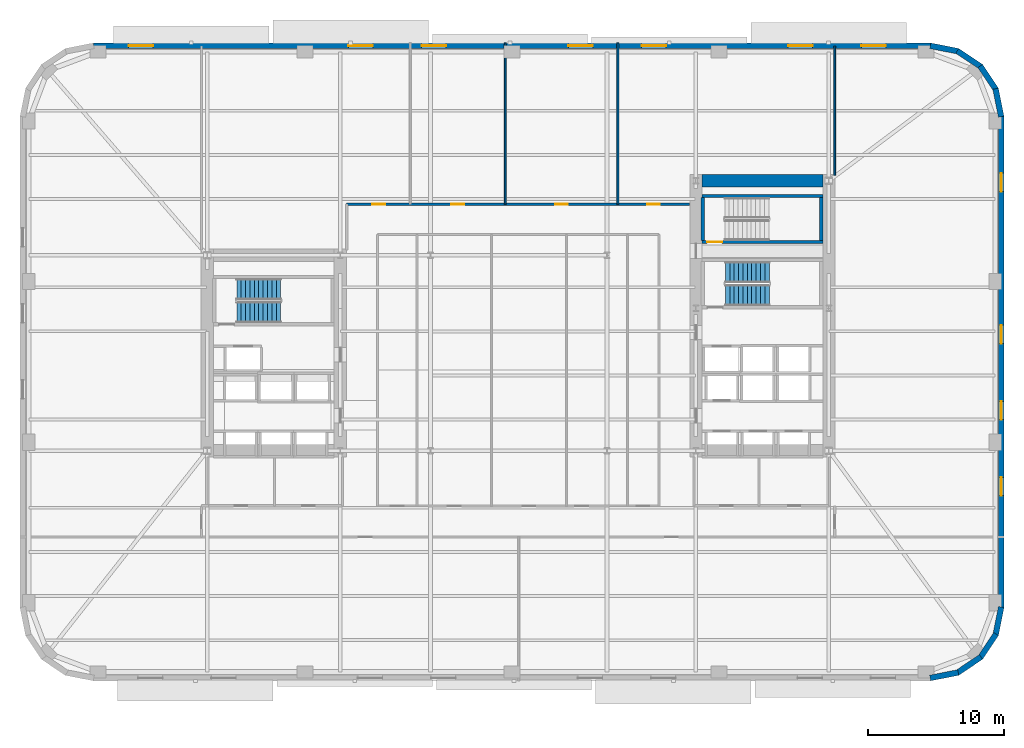
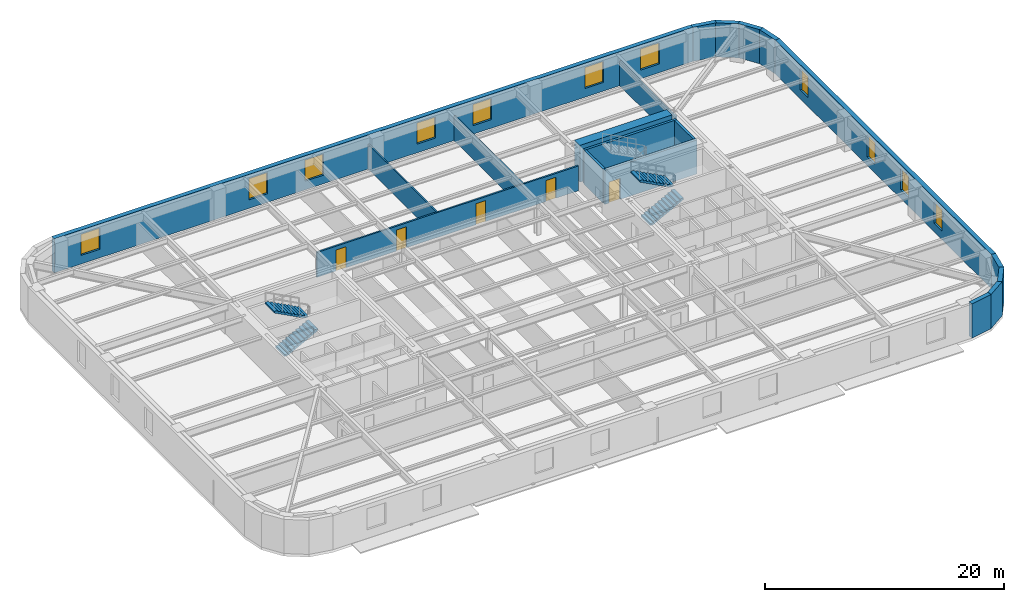
# One storey, part 7 of 14: 19 walls, 11 windows, 5 doors, 4 stair flights, 16 openings, 2 elements without a shape of their own.
"""IFC4 building model written with IfcOpenShell, lengths in metres."""

from ifc_helpers import new_model, si_unit, direction, frame, frame_2d, origin, place, context, subcontext, project, spatial, polyline, rectangle, outline, extrude, material, layer, layer_set, type_object, element, fill, aggregate, save


model = new_model("IFC4")

# Units and contexts
model_context = context("Model", 3, precision=1e-05, world=origin(), true_north=direction((0.0, 1.0)))
body_context = subcontext(model_context, "Body", "Model", "MODEL_VIEW")
ifc_project = project(units=[si_unit("LENGTHUNIT", "METRE"), si_unit("AREAUNIT", "SQUARE_METRE"), si_unit("VOLUMEUNIT", "CUBIC_METRE"), si_unit("PLANEANGLEUNIT", "RADIAN"), si_unit("MASSUNIT", "GRAM", prefix="KILO")], contexts=[model_context])

# Site, building, storey
site_placement = place(None, origin())
site = spatial("IfcSite", under=ifc_project, at=site_placement, CompositionType="ELEMENT")
building_placement = place(site_placement, origin())
building = spatial("IfcBuilding", under=site, at=building_placement, Name="Kolvaren Arena Tower", CompositionType="ELEMENT")
storey_placement = place(building_placement, frame((0.0, 0.0, 75.75)))
storey = spatial("IfcBuildingStorey", under=building, at=storey_placement, Name="L16", CompositionType="ELEMENT", Elevation=75.75)

# Wall, openings, doors
ifc_material_1 = material(Name="Gypsum board acoustic assembly", Category="gypsum")
ifc_layer_1 = layer(ifc_material_1, 0.159912109375)
ifc_layer_set_1 = layer_set([ifc_layer_1], Name="Gypsum board acoustic assembly")
wall_type_1 = type_object("IfcWallType", Name="CORR-160", PredefinedType="PARTITIONING", material=ifc_layer_set_1)
wall_1_placement = place(storey_placement, frame((24.820068359375, 37.6201171875, 0.0), z_axis=(0.0, 0.0, 1.0), x_axis=(1.0, 0.0, 0.0)))
wall_1 = element("IfcWall", 1, at=wall_1_placement, inside=storey, type_object=wall_type_1, Name="Interior Partition Wall (L16)", PredefinedType="PARTITIONING", context=body_context, shape_type="SweptSolid", body=[
    extrude(rectangle(XDim=25.260009765625, YDim=0.159912109375, at=frame_2d((12.6298828125, 0.0))), origin(), (0.0, 0.0, 1.0), 2.5400390625),
])
opening_1_placement = place(wall_1_placement, frame((1.8798828125, 0.0, 0.0)))
opening_1 = element("IfcOpeningElement", 2, at=opening_1_placement, cuts=wall_1, Name="Opening D05", PredefinedType="OPENING", context=body_context, shape_type="SweptSolid", body=[
    extrude(rectangle(XDim=0.949951171875, YDim=2.14990234375, at=frame_2d((0.47509765625, 1.074951171875))), frame((0.0, 0.08984375, 0.0), z_axis=(0.0, -1.0, 0.0), x_axis=(1.0, 0.0, 0.0)), (0.0, 0.0, 1.0), 0.179931640625),
])
opening_2_placement = place(wall_1_placement, frame((7.705078125, 0.0, 0.0)))
opening_2 = element("IfcOpeningElement", 3, at=opening_2_placement, cuts=wall_1, Name="Opening D05", PredefinedType="OPENING", context=body_context, shape_type="SweptSolid", body=[
    extrude(rectangle(XDim=0.949951171875, YDim=2.14990234375, at=frame_2d((0.47509765625, 1.074951171875))), frame((0.0, 0.08984375, 0.0), z_axis=(0.0, -1.0, 0.0), x_axis=(1.0, 0.0, 0.0)), (0.0, 0.0, 1.0), 0.179931640625),
])
opening_3_placement = place(wall_1_placement, frame((15.35498046875, 0.0, 0.0)))
opening_3 = element("IfcOpeningElement", 4, at=opening_3_placement, cuts=wall_1, Name="Opening D05", PredefinedType="OPENING", context=body_context, shape_type="SweptSolid", body=[
    extrude(rectangle(XDim=0.949951171875, YDim=2.14990234375, at=frame_2d((0.47509765625, 1.074951171875))), frame((0.0, 0.08984375, 0.0), z_axis=(0.0, -1.0, 0.0), x_axis=(1.0, 0.0, 0.0)), (0.0, 0.0, 1.0), 0.179931640625),
])
opening_4_placement = place(wall_1_placement, frame((22.1298828125, 0.0, 0.0)))
opening_4 = element("IfcOpeningElement", 5, at=opening_4_placement, cuts=wall_1, Name="Opening D05", PredefinedType="OPENING", context=body_context, shape_type="SweptSolid", body=[
    extrude(rectangle(XDim=0.949951171875, YDim=2.14990234375, at=frame_2d((0.47509765625, 1.074951171875))), frame((0.0, 0.08984375, 0.0), z_axis=(0.0, -1.0, 0.0), x_axis=(1.0, 0.0, 0.0)), (0.0, 0.0, 1.0), 0.179931640625),
])
ifc_material_2 = material(Name="Solid-core oak acoustic office door", Category="wood")
door_type_1 = type_object("IfcDoorType", Name="DOOR-OF-095", OperationType="NOTDEFINED", PredefinedType="DOOR", material=ifc_material_2)
door_1_placement = place(opening_1_placement, origin())
door_1 = element("IfcDoor", 6, at=door_1_placement, inside=storey, type_object=door_type_1, Name="Open Plan Office Door (L16)", OperationType="SINGLE_SWING_RIGHT", OverallHeight=2.14990234375, OverallWidth=0.949951171875, PredefinedType="DOOR", context=body_context, shape_type="SweptSolid", body=[
    extrude(rectangle(XDim=0.949951171875, YDim=2.14990234375, at=frame_2d((0.47509765625, 1.074951171875))), frame((0.0, 0.02490234375, 0.0), z_axis=(0.0, -1.0, 0.0), x_axis=(1.0, 0.0, 0.0)), (0.0, 0.0, 1.0), 0.050048828125),
])
fill(opening_1, door_1)
door_2_placement = place(opening_2_placement, origin())
door_2 = element("IfcDoor", 7, at=door_2_placement, inside=storey, type_object=door_type_1, Name="Wellness Room Door (L16)", OperationType="SINGLE_SWING_LEFT", OverallHeight=2.14990234375, OverallWidth=0.949951171875, PredefinedType="DOOR", context=body_context, shape_type="SweptSolid", body=[
    extrude(rectangle(XDim=0.949951171875, YDim=2.14990234375, at=frame_2d((0.47509765625, 1.074951171875))), frame((0.0, 0.02490234375, 0.0), z_axis=(0.0, -1.0, 0.0), x_axis=(1.0, 0.0, 0.0)), (0.0, 0.0, 1.0), 0.050048828125),
])
fill(opening_2, door_2)
door_3_placement = place(opening_3_placement, origin())
door_3 = element("IfcDoor", 8, at=door_3_placement, inside=storey, type_object=door_type_1, Name="Boardroom Door (L16)", OperationType="SINGLE_SWING_RIGHT", OverallHeight=2.14990234375, OverallWidth=0.949951171875, PredefinedType="DOOR", context=body_context, shape_type="SweptSolid", body=[
    extrude(rectangle(XDim=0.949951171875, YDim=2.14990234375, at=frame_2d((0.47509765625, 1.074951171875))), frame((0.0, 0.02490234375, 0.0), z_axis=(0.0, -1.0, 0.0), x_axis=(1.0, 0.0, 0.0)), (0.0, 0.0, 1.0), 0.050048828125),
])
fill(opening_3, door_3)
door_4_placement = place(opening_4_placement, origin())
door_4 = element("IfcDoor", 9, at=door_4_placement, inside=storey, type_object=door_type_1, Name="Breakout Pantry and Kitchen Door (L16)", OperationType="SINGLE_SWING_LEFT", OverallHeight=2.14990234375, OverallWidth=0.949951171875, PredefinedType="DOOR", context=body_context, shape_type="SweptSolid", body=[
    extrude(rectangle(XDim=0.949951171875, YDim=2.14990234375, at=frame_2d((0.47509765625, 1.074951171875))), frame((0.0, 0.02490234375, 0.0), z_axis=(0.0, -1.0, 0.0), x_axis=(1.0, 0.0, 0.0)), (0.0, 0.0, 1.0), 0.050048828125),
])
fill(opening_4, door_4)

# Walls
ifc_material_3 = material(Name="Concrete 80 MPa", Category="concrete")
ifc_layer_2 = layer(ifc_material_3, 0.89990234375)
ifc_layer_set_2 = layer_set([ifc_layer_2], Name="Concrete 80 MPa")
wall_type_2 = type_object("IfcWallType", Name="CWALL-900", PredefinedType="SHEAR", material=ifc_layer_set_2)
wall_2_placement = place(storey_placement, frame((51.0, 39.35009765625, -0.27001953125), z_axis=(0.0, 0.0, 1.0), x_axis=(1.0, 0.0, 0.0)))
element("IfcWall", 10, at=wall_2_placement, inside=storey, type_object=wall_type_2, Name="Core Shear Wall EC-NORTH (L16)", PredefinedType="SHEAR", context=body_context, shape_type="SweptSolid", body=[
    extrude(rectangle(XDim=8.89990234375, YDim=0.89990234375, at=frame_2d((4.449951171875, 0.0))), origin(), (0.0, 0.0, 1.0), 3.75),
])
ifc_material_4 = material(Name="Precast concrete C50/60", Category="concrete")
ifc_layer_3 = layer(ifc_material_4, 0.419921875)
ifc_layer_set_3 = layer_set([ifc_layer_3], Name="Precast concrete C50/60")
wall_type_3 = type_object("IfcWallType", Name="EXT-PIER1", PredefinedType="SOLIDWALL", material=ifc_layer_set_3)
for number, where, z_axis, x_axis, name in (
    (11, (69.87548828125, 3.1171875, 0.0), (0.0, 0.0, 1.0), (-0.9807762837, -0.195135546048, 0.0), "Exterior Precast Masonry-Frame Wall (L16)"),
    (12, (71.5517578125, 4.256103515625, 0.0), (0.0, 0.0, 1.0), (-0.831515102434, -0.555502146192, 0.0), "Exterior Precast Masonry-Frame Wall (L16)"),
    (13, (72.664306640625, 5.9501953125, 0.0), (0.0, 0.0, 1.0), (-0.555502146192, -0.831515102434, 0.0), "Exterior Precast Masonry-Frame Wall (L16)"),
    (14, (73.0439453125, 7.94091796875, 0.0), (0.0, 0.0, 1.0), (-0.195135546048, -0.9807762837, 0.0), "Exterior Precast Masonry-Frame Wall (L16)"),
):
    element("IfcWall", number, at=place(storey_placement, frame(where, z_axis=z_axis, x_axis=x_axis)), inside=storey, type_object=wall_type_3, Name=name, PredefinedType="SOLIDWALL", context=body_context, shape_type="SweptSolid", body=[
        extrude(rectangle(XDim=2.10693359375, YDim=0.419921875, at=frame_2d((1.053466796875, 0.0))), origin(), (0.0, 0.0, 1.0), 3.47998046875),
    ])

# Wall, openings, windows
wall_3_placement = place(storey_placement, frame((73.0400390625, 44.10009765625, 0.0), z_axis=(0.0, 0.0, 1.0), x_axis=(0.0, -1.0, 0.0)))
wall_3 = element("IfcWall", 15, at=wall_3_placement, inside=storey, type_object=wall_type_3, Name="Exterior Precast Masonry-Frame Wall (L16)", PredefinedType="SOLIDWALL", context=body_context, shape_type="SweptSolid", body=[
    extrude(rectangle(XDim=36.2001953125, YDim=0.419921875, at=frame_2d((18.10009765625, 0.0))), origin(), (0.0, 0.0, 1.0), 3.47998046875),
])
opening_5_placement = place(wall_3_placement, frame((4.199951171875, 0.0, 0.8798828125)))
opening_5 = element("IfcOpeningElement", 16, at=opening_5_placement, cuts=wall_3, Name="Opening W04", PredefinedType="OPENING", context=body_context, shape_type="SweptSolid", body=[
    extrude(rectangle(XDim=1.35009765625, YDim=2.199951171875, at=frame_2d((0.675048828125, 1.10009765625))), frame((0.0, 0.219970703125, 0.0), z_axis=(0.0, -1.0, 0.0), x_axis=(1.0, 0.0, 0.0)), (0.0, 0.0, 1.0), 0.43994140625),
])
opening_6_placement = place(wall_3_placement, frame((15.39990234375, 0.0, 0.8798828125)))
opening_6 = element("IfcOpeningElement", 17, at=opening_6_placement, cuts=wall_3, Name="Opening W04", PredefinedType="OPENING", context=body_context, shape_type="SweptSolid", body=[
    extrude(rectangle(XDim=1.35009765625, YDim=2.199951171875, at=frame_2d((0.675048828125, 1.10009765625))), frame((0.0, 0.219970703125, 0.0), z_axis=(0.0, -1.0, 0.0), x_axis=(1.0, 0.0, 0.0)), (0.0, 0.0, 1.0), 0.43994140625),
])
opening_7_placement = place(wall_3_placement, frame((21.0, 0.0, 0.8798828125)))
opening_7 = element("IfcOpeningElement", 18, at=opening_7_placement, cuts=wall_3, Name="Opening W04", PredefinedType="OPENING", context=body_context, shape_type="SweptSolid", body=[
    extrude(rectangle(XDim=1.35009765625, YDim=2.199951171875, at=frame_2d((0.675048828125, 1.10009765625))), frame((0.0, 0.219970703125, 0.0), z_axis=(0.0, -1.0, 0.0), x_axis=(1.0, 0.0, 0.0)), (0.0, 0.0, 1.0), 0.43994140625),
])
opening_8_placement = place(wall_3_placement, frame((26.60009765625, 0.0, 0.8798828125)))
opening_8 = element("IfcOpeningElement", 19, at=opening_8_placement, cuts=wall_3, Name="Opening W04", PredefinedType="OPENING", context=body_context, shape_type="SweptSolid", body=[
    extrude(rectangle(XDim=1.35009765625, YDim=2.199951171875, at=frame_2d((0.675048828125, 1.10009765625))), frame((0.0, 0.219970703125, 0.0), z_axis=(0.0, -1.0, 0.0), x_axis=(1.0, 0.0, 0.0)), (0.0, 0.0, 1.0), 0.43994140625),
])
ifc_material_5 = material(Name="Triple-glazed curved-facet corner window", Category="glass")
window_type_1 = type_object("IfcWindowType", Name="WIN-CRN-A", PartitioningType="SINGLE_PANEL", PredefinedType="WINDOW", material=ifc_material_5)
window_1_placement = place(opening_5_placement, origin())
window_1 = element("IfcWindow", 20, at=window_1_placement, inside=storey, type_object=window_type_1, Name="End-Wall Punched Window (L16)", OverallHeight=2.199951171875, OverallWidth=1.35009765625, PartitioningType="SINGLE_PANEL", PredefinedType="WINDOW", context=body_context, shape_type="SweptSolid", body=[
    extrude(rectangle(XDim=1.35009765625, YDim=2.199951171875, at=frame_2d((0.675048828125, 1.10009765625))), frame((0.0, 0.030029296875, 0.0), z_axis=(0.0, -1.0, 0.0), x_axis=(1.0, 0.0, 0.0)), (0.0, 0.0, 1.0), 0.06005859375),
])
fill(opening_5, window_1)
window_2_placement = place(opening_6_placement, origin())
window_2 = element("IfcWindow", 21, at=window_2_placement, inside=storey, type_object=window_type_1, Name="End-Wall Punched Window (L16)", OverallHeight=2.199951171875, OverallWidth=1.35009765625, PartitioningType="SINGLE_PANEL", PredefinedType="WINDOW", context=body_context, shape_type="SweptSolid", body=[
    extrude(rectangle(XDim=1.35009765625, YDim=2.199951171875, at=frame_2d((0.675048828125, 1.10009765625))), frame((0.0, 0.030029296875, 0.0), z_axis=(0.0, -1.0, 0.0), x_axis=(1.0, 0.0, 0.0)), (0.0, 0.0, 1.0), 0.06005859375),
])
fill(opening_6, window_2)
window_3_placement = place(opening_7_placement, origin())
window_3 = element("IfcWindow", 22, at=window_3_placement, inside=storey, type_object=window_type_1, Name="End-Wall Punched Window (L16)", OverallHeight=2.199951171875, OverallWidth=1.35009765625, PartitioningType="SINGLE_PANEL", PredefinedType="WINDOW", context=body_context, shape_type="SweptSolid", body=[
    extrude(rectangle(XDim=1.35009765625, YDim=2.199951171875, at=frame_2d((0.675048828125, 1.10009765625))), frame((0.0, 0.030029296875, 0.0), z_axis=(0.0, -1.0, 0.0), x_axis=(1.0, 0.0, 0.0)), (0.0, 0.0, 1.0), 0.06005859375),
])
fill(opening_7, window_3)
window_4_placement = place(opening_8_placement, origin())
window_4 = element("IfcWindow", 23, at=window_4_placement, inside=storey, type_object=window_type_1, Name="End-Wall Punched Window (L16)", OverallHeight=2.199951171875, OverallWidth=1.35009765625, PartitioningType="SINGLE_PANEL", PredefinedType="WINDOW", context=body_context, shape_type="SweptSolid", body=[
    extrude(rectangle(XDim=1.35009765625, YDim=2.199951171875, at=frame_2d((0.675048828125, 1.10009765625))), frame((0.0, 0.030029296875, 0.0), z_axis=(0.0, -1.0, 0.0), x_axis=(1.0, 0.0, 0.0)), (0.0, 0.0, 1.0), 0.06005859375),
])
fill(opening_8, window_4)

# Walls
for number, where, z_axis, x_axis, name in (
    (24, (72.6328125, 46.12548828125, 0.0), (0.0, 0.0, 1.0), (0.195135546048, -0.9807762837, 0.0), "Exterior Precast Masonry-Frame Wall (L16)"),
    (25, (71.493896484375, 47.8017578125, 0.0), (0.0, 0.0, 1.0), (0.555502146192, -0.831515102434, 0.0), "Exterior Precast Masonry-Frame Wall (L16)"),
    (26, (69.7998046875, 48.914306640625, 0.0), (0.0, 0.0, 1.0), (0.831515102434, -0.555502146192, 0.0), "Exterior Precast Masonry-Frame Wall (L16)"),
    (27, (67.80908203125, 49.2939453125, 0.0), (0.0, 0.0, 1.0), (0.9807762837, -0.195135546048, 0.0), "Exterior Precast Masonry-Frame Wall (L16)"),
):
    element("IfcWall", number, at=place(storey_placement, frame(where, z_axis=z_axis, x_axis=x_axis)), inside=storey, type_object=wall_type_3, Name=name, PredefinedType="SOLIDWALL", context=body_context, shape_type="SweptSolid", body=[
        extrude(rectangle(XDim=2.10693359375, YDim=0.419921875, at=frame_2d((1.053466796875, 0.0))), origin(), (0.0, 0.0, 1.0), 3.47998046875),
    ])

# Wall, openings, windows
wall_4_placement = place(storey_placement, frame((6.14990234375, 49.2900390625, 0.0), z_axis=(0.0, 0.0, 1.0), x_axis=(1.0, 0.0, 0.0)))
wall_4 = element("IfcWall", 28, at=wall_4_placement, inside=storey, type_object=wall_type_3, Name="Exterior Precast Masonry-Frame Wall (L16)", PredefinedType="SOLIDWALL", context=body_context, shape_type="SweptSolid", body=[
    extrude(rectangle(XDim=61.7001953125, YDim=0.419921875, at=frame_2d((30.85009765625, 0.0))), origin(), (0.0, 0.0, 1.0), 3.47998046875),
])
opening_9_placement = place(wall_4_placement, frame((2.60009765625, 0.0, 0.8798828125)))
opening_9 = element("IfcOpeningElement", 29, at=opening_9_placement, cuts=wall_4, Name="Opening W02", PredefinedType="OPENING", context=body_context, shape_type="SweptSolid", body=[
    extrude(rectangle(XDim=1.800048828125, YDim=2.14990234375, at=frame_2d((0.89990234375, 1.074951171875))), frame((0.0, 0.219970703125, 0.0), z_axis=(0.0, -1.0, 0.0), x_axis=(1.0, 0.0, 0.0)), (0.0, 0.0, 1.0), 0.43994140625),
])
opening_10_placement = place(wall_4_placement, frame((18.800048828125, 0.0, 0.8798828125)))
opening_10 = element("IfcOpeningElement", 30, at=opening_10_placement, cuts=wall_4, Name="Opening W02", PredefinedType="OPENING", context=body_context, shape_type="SweptSolid", body=[
    extrude(rectangle(XDim=1.800048828125, YDim=2.14990234375, at=frame_2d((0.89990234375, 1.074951171875))), frame((0.0, 0.219970703125, 0.0), z_axis=(0.0, -1.0, 0.0), x_axis=(1.0, 0.0, 0.0)), (0.0, 0.0, 1.0), 0.43994140625),
])
opening_11_placement = place(wall_4_placement, frame((24.199951171875, 0.0, 0.8798828125)))
opening_11 = element("IfcOpeningElement", 31, at=opening_11_placement, cuts=wall_4, Name="Opening W02", PredefinedType="OPENING", context=body_context, shape_type="SweptSolid", body=[
    extrude(rectangle(XDim=1.800048828125, YDim=2.14990234375, at=frame_2d((0.89990234375, 1.074951171875))), frame((0.0, 0.219970703125, 0.0), z_axis=(0.0, -1.0, 0.0), x_axis=(1.0, 0.0, 0.0)), (0.0, 0.0, 1.0), 0.43994140625),
])
opening_12_placement = place(wall_4_placement, frame((35.0, 0.0, 0.8798828125)))
opening_12 = element("IfcOpeningElement", 32, at=opening_12_placement, cuts=wall_4, Name="Opening W02", PredefinedType="OPENING", context=body_context, shape_type="SweptSolid", body=[
    extrude(rectangle(XDim=1.800048828125, YDim=2.14990234375, at=frame_2d((0.89990234375, 1.074951171875))), frame((0.0, 0.219970703125, 0.0), z_axis=(0.0, -1.0, 0.0), x_axis=(1.0, 0.0, 0.0)), (0.0, 0.0, 1.0), 0.43994140625),
])
opening_13_placement = place(wall_4_placement, frame((40.39990234375, 0.0, 0.8798828125)))
opening_13 = element("IfcOpeningElement", 33, at=opening_13_placement, cuts=wall_4, Name="Opening W02", PredefinedType="OPENING", context=body_context, shape_type="SweptSolid", body=[
    extrude(rectangle(XDim=1.800048828125, YDim=2.14990234375, at=frame_2d((0.89990234375, 1.074951171875))), frame((0.0, 0.219970703125, 0.0), z_axis=(0.0, -1.0, 0.0), x_axis=(1.0, 0.0, 0.0)), (0.0, 0.0, 1.0), 0.43994140625),
])
opening_14_placement = place(wall_4_placement, frame((51.199951171875, 0.0, 0.8798828125)))
opening_14 = element("IfcOpeningElement", 34, at=opening_14_placement, cuts=wall_4, Name="Opening W02", PredefinedType="OPENING", context=body_context, shape_type="SweptSolid", body=[
    extrude(rectangle(XDim=1.800048828125, YDim=2.14990234375, at=frame_2d((0.89990234375, 1.074951171875))), frame((0.0, 0.219970703125, 0.0), z_axis=(0.0, -1.0, 0.0), x_axis=(1.0, 0.0, 0.0)), (0.0, 0.0, 1.0), 0.43994140625),
])
opening_15_placement = place(wall_4_placement, frame((56.60009765625, 0.0, 0.8798828125)))
opening_15 = element("IfcOpeningElement", 35, at=opening_15_placement, cuts=wall_4, Name="Opening W02", PredefinedType="OPENING", context=body_context, shape_type="SweptSolid", body=[
    extrude(rectangle(XDim=1.800048828125, YDim=2.14990234375, at=frame_2d((0.89990234375, 1.074951171875))), frame((0.0, 0.219970703125, 0.0), z_axis=(0.0, -1.0, 0.0), x_axis=(1.0, 0.0, 0.0)), (0.0, 0.0, 1.0), 0.43994140625),
])
ifc_material_6 = material(Name="Triple-glazed low-E aluminium window", Category="aluminium")
window_type_2 = type_object("IfcWindowType", Name="WIN-OFF-B", PartitioningType="DOUBLE_PANEL_VERTICAL", PredefinedType="WINDOW", material=ifc_material_6)
window_5_placement = place(opening_9_placement, origin())
window_5 = element("IfcWindow", 36, at=window_5_placement, inside=storey, type_object=window_type_2, Name="Punched Precast-Pier Window (L16)", OverallHeight=2.14990234375, OverallWidth=1.800048828125, PartitioningType="DOUBLE_PANEL_VERTICAL", PredefinedType="WINDOW", context=body_context, shape_type="SweptSolid", body=[
    extrude(rectangle(XDim=1.800048828125, YDim=2.14990234375, at=frame_2d((0.89990234375, 1.074951171875))), frame((0.0, 0.030029296875, 0.0), z_axis=(0.0, -1.0, 0.0), x_axis=(1.0, 0.0, 0.0)), (0.0, 0.0, 1.0), 0.06005859375),
])
fill(opening_9, window_5)
window_6_placement = place(opening_10_placement, origin())
window_6 = element("IfcWindow", 37, at=window_6_placement, inside=storey, type_object=window_type_2, Name="Punched Precast-Pier Window (L16)", OverallHeight=2.14990234375, OverallWidth=1.800048828125, PartitioningType="DOUBLE_PANEL_VERTICAL", PredefinedType="WINDOW", context=body_context, shape_type="SweptSolid", body=[
    extrude(rectangle(XDim=1.800048828125, YDim=2.14990234375, at=frame_2d((0.89990234375, 1.074951171875))), frame((0.0, 0.030029296875, 0.0), z_axis=(0.0, -1.0, 0.0), x_axis=(1.0, 0.0, 0.0)), (0.0, 0.0, 1.0), 0.06005859375),
])
fill(opening_10, window_6)
window_7_placement = place(opening_11_placement, origin())
window_7 = element("IfcWindow", 38, at=window_7_placement, inside=storey, type_object=window_type_2, Name="Punched Precast-Pier Window (L16)", OverallHeight=2.14990234375, OverallWidth=1.800048828125, PartitioningType="DOUBLE_PANEL_VERTICAL", PredefinedType="WINDOW", context=body_context, shape_type="SweptSolid", body=[
    extrude(rectangle(XDim=1.800048828125, YDim=2.14990234375, at=frame_2d((0.89990234375, 1.074951171875))), frame((0.0, 0.030029296875, 0.0), z_axis=(0.0, -1.0, 0.0), x_axis=(1.0, 0.0, 0.0)), (0.0, 0.0, 1.0), 0.06005859375),
])
fill(opening_11, window_7)
window_8_placement = place(opening_12_placement, origin())
window_8 = element("IfcWindow", 39, at=window_8_placement, inside=storey, type_object=window_type_2, Name="Punched Precast-Pier Window (L16)", OverallHeight=2.14990234375, OverallWidth=1.800048828125, PartitioningType="DOUBLE_PANEL_VERTICAL", PredefinedType="WINDOW", context=body_context, shape_type="SweptSolid", body=[
    extrude(rectangle(XDim=1.800048828125, YDim=2.14990234375, at=frame_2d((0.89990234375, 1.074951171875))), frame((0.0, 0.030029296875, 0.0), z_axis=(0.0, -1.0, 0.0), x_axis=(1.0, 0.0, 0.0)), (0.0, 0.0, 1.0), 0.06005859375),
])
fill(opening_12, window_8)
window_9_placement = place(opening_13_placement, origin())
window_9 = element("IfcWindow", 40, at=window_9_placement, inside=storey, type_object=window_type_2, Name="Punched Precast-Pier Window (L16)", OverallHeight=2.14990234375, OverallWidth=1.800048828125, PartitioningType="DOUBLE_PANEL_VERTICAL", PredefinedType="WINDOW", context=body_context, shape_type="SweptSolid", body=[
    extrude(rectangle(XDim=1.800048828125, YDim=2.14990234375, at=frame_2d((0.89990234375, 1.074951171875))), frame((0.0, 0.030029296875, 0.0), z_axis=(0.0, -1.0, 0.0), x_axis=(1.0, 0.0, 0.0)), (0.0, 0.0, 1.0), 0.06005859375),
])
fill(opening_13, window_9)
window_10_placement = place(opening_14_placement, origin())
window_10 = element("IfcWindow", 41, at=window_10_placement, inside=storey, type_object=window_type_2, Name="Punched Precast-Pier Window (L16)", OverallHeight=2.14990234375, OverallWidth=1.800048828125, PartitioningType="DOUBLE_PANEL_VERTICAL", PredefinedType="WINDOW", context=body_context, shape_type="SweptSolid", body=[
    extrude(rectangle(XDim=1.800048828125, YDim=2.14990234375, at=frame_2d((0.89990234375, 1.074951171875))), frame((0.0, 0.030029296875, 0.0), z_axis=(0.0, -1.0, 0.0), x_axis=(1.0, 0.0, 0.0)), (0.0, 0.0, 1.0), 0.06005859375),
])
fill(opening_14, window_10)
window_11_placement = place(opening_15_placement, origin())
window_11 = element("IfcWindow", 42, at=window_11_placement, inside=storey, type_object=window_type_2, Name="Punched Precast-Pier Window (L16)", OverallHeight=2.14990234375, OverallWidth=1.800048828125, PartitioningType="DOUBLE_PANEL_VERTICAL", PredefinedType="WINDOW", context=body_context, shape_type="SweptSolid", body=[
    extrude(rectangle(XDim=1.800048828125, YDim=2.14990234375, at=frame_2d((0.89990234375, 1.074951171875))), frame((0.0, 0.030029296875, 0.0), z_axis=(0.0, -1.0, 0.0), x_axis=(1.0, 0.0, 0.0)), (0.0, 0.0, 1.0), 0.06005859375),
])
fill(opening_15, window_11)

# Walls
ifc_material_7 = material(Name="Gypsum board partition assembly", Category="gypsum")
ifc_layer_4 = layer(ifc_material_7, 0.135009765625)
ifc_layer_set_4 = layer_set([ifc_layer_4], Name="Gypsum board partition assembly")
wall_type_4 = type_object("IfcWallType", Name="PART-135", PredefinedType="PARTITIONING", material=ifc_layer_set_4)
for number, where, z_axis, x_axis, name in (
    (43, (36.5, 37.6201171875, 0.0), (0.0, 0.0, 1.0), (0.0, 1.0, 0.0), "Interior Partition Wall (L16)"),
    (44, (44.800048828125, 37.6201171875, 0.0), (0.0, 0.0, 1.0), (0.0, 1.0, 0.0), "Interior Partition Wall (L16)"),
):
    element("IfcWall", number, at=place(storey_placement, frame(where, z_axis=z_axis, x_axis=x_axis)), inside=storey, type_object=wall_type_4, Name=name, PredefinedType="PARTITIONING", context=body_context, shape_type="SweptSolid", body=[
        extrude(rectangle(XDim=11.8798828125, YDim=0.135009765625, at=frame_2d((5.93994140625, 0.0))), origin(), (0.0, 0.0, 1.0), 2.5400390625),
    ])
wall_5_placement = place(storey_placement, frame((60.780029296875, 39.75, 0.0), z_axis=(0.0, 0.0, 1.0), x_axis=(0.0, 1.0, 0.0)))
element("IfcWall", 45, at=wall_5_placement, inside=storey, type_object=wall_type_4, Name="Interior Partition Wall (L16)", PredefinedType="PARTITIONING", context=body_context, shape_type="SweptSolid", body=[
    extrude(rectangle(XDim=9.510009765625, YDim=0.135009765625, at=frame_2d((4.7548828125, 0.0))), origin(), (0.0, 0.0, 1.0), 2.5400390625),
])

# Wall, opening, door
ifc_material_8 = material(Name="Concrete 45 MPa", Category="concrete")
ifc_layer_5 = layer(ifc_material_8, 0.25)
ifc_layer_set_5 = layer_set([ifc_layer_5], Name="Concrete 45 MPa")
wall_type_5 = type_object("IfcWallType", Name="SHAFT-250", PredefinedType="SOLIDWALL", material=ifc_layer_set_5)
wall_6_placement = place(storey_placement, frame((59.89990234375, 34.830078125, 0.0), z_axis=(0.0, 0.0, 1.0), x_axis=(-1.0, 0.0, 0.0)))
wall_6 = element("IfcWall", 46, at=wall_6_placement, inside=storey, type_object=wall_type_5, Name="Core Shaft Wall (L16)", PredefinedType="SOLIDWALL", context=body_context, shape_type="SweptSolid", body=[
    extrude(rectangle(XDim=8.89990234375, YDim=0.239990234375, at=frame_2d((4.449951171875, 0.0))), origin(), (0.0, 0.0, 1.0), 3.47998046875),
])
opening_16_placement = place(wall_6_placement, frame((7.419921875, 0.0, 0.0)))
opening_16 = element("IfcOpeningElement", 47, at=opening_16_placement, cuts=wall_6, Name="Opening D03", PredefinedType="OPENING", context=body_context, shape_type="SweptSolid", body=[
    extrude(rectangle(XDim=1.10009765625, YDim=2.14990234375, at=frame_2d((0.550048828125, 1.074951171875))), frame((0.0, 0.1298828125, 0.0), z_axis=(0.0, -1.0, 0.0), x_axis=(1.0, 0.0, 0.0)), (0.0, 0.0, 1.0), 0.260009765625),
])
ifc_material_9 = material(Name="Fire-rated steel exit stair door", Category="steel")
door_type_2 = type_object("IfcDoorType", Name="DOOR-ST-110", OperationType="NOTDEFINED", PredefinedType="DOOR", material=ifc_material_9)
door_5_placement = place(opening_16_placement, origin())
door_5 = element("IfcDoor", 48, at=door_5_placement, inside=storey, type_object=door_type_2, Name="Stair ST-E2 Fire Door (L16)", OperationType="SINGLE_SWING_LEFT", OverallHeight=2.14990234375, OverallWidth=1.10009765625, PredefinedType="DOOR", context=body_context, shape_type="SweptSolid", body=[
    extrude(rectangle(XDim=1.10009765625, YDim=2.14990234375, at=frame_2d((0.550048828125, 1.074951171875))), frame((0.0, 0.02490234375, 0.0), z_axis=(0.0, -1.0, 0.0), x_axis=(1.0, 0.0, 0.0)), (0.0, 0.0, 1.0), 0.050048828125),
])
fill(opening_16, door_5)

# Walls
wall_7_placement = place(storey_placement, frame((51.0, 38.219970703125, 0.0), z_axis=(0.0, 0.0, 1.0), x_axis=(1.0, 0.0, 0.0)))
element("IfcWall", 49, at=wall_7_placement, inside=storey, type_object=wall_type_5, Name="Core Shaft Wall (L16)", PredefinedType="SOLIDWALL", context=body_context, shape_type="SweptSolid", body=[
    extrude(rectangle(XDim=8.89990234375, YDim=0.239990234375, at=frame_2d((4.449951171875, 0.0))), origin(), (0.0, 0.0, 1.0), 3.47998046875),
])
for number, where, z_axis, x_axis, name in (
    (50, (51.06005859375, 34.949951171875, 0.0), (0.0, 0.0, 1.0), (0.0, 1.0, 0.0), "Core Shaft Wall (L16)"),
    (51, (59.780029296875, 34.949951171875, 0.0), (0.0, 0.0, 1.0), (0.0, 1.0, 0.0), "Core Shaft Wall (L16)"),
):
    element("IfcWall", number, at=place(storey_placement, frame(where, z_axis=z_axis, x_axis=x_axis)), inside=storey, type_object=wall_type_5, Name=name, PredefinedType="SOLIDWALL", context=body_context, shape_type="SweptSolid", body=[
        extrude(rectangle(XDim=3.150146484375, YDim=0.239990234375, at=frame_2d((1.5751953125, 0.0))), origin(), (0.0, 0.0, 1.0), 3.47998046875),
    ])

# Stair, stair flights
stair_type = type_object("IfcStairType", Name="STAIR-CORE-165", PredefinedType="HALF_TURN_STAIR", material=ifc_material_8)
stair_1_placement = place(storey_placement, origin())
stair_1 = element("IfcStair", 52, at=stair_1_placement, inside=storey, type_object=stair_type, Name="L16 ST-W1", PredefinedType="HALF_TURN_STAIR")
stair_flight_type = type_object("IfcStairFlightType", Name="FLT-165", PredefinedType="STRAIGHT", material=ifc_material_8)
stair_flight_1_placement = place(storey_placement, frame((16.719970703125, 29.669921875, 0.0), z_axis=(0.0, 0.0, 1.0), x_axis=(1.0, 0.0, 0.0)))
stair_flight_1 = element("IfcStairFlight", 53, at=stair_flight_1_placement, type_object=stair_flight_type, Name="ST-W1 flight 1", NumberOfRisers=11, NumberOfTreads=10, PredefinedType="STRAIGHT", RiserHeight=0.170454545, TreadLength=0.324, context=body_context, shape_type="SweptSolid", body=[
    extrude(outline(polyline([(0.0, 0.0), (0.0, 0.17041015625), (0.323974609375, 0.17041015625), (0.323974609375, 0.3408203125), (0.64794921875, 0.3408203125), (0.64794921875, 0.511474609375), (0.971923828125, 0.511474609375), (0.971923828125, 0.681884765625), (1.2958984375, 0.681884765625), (1.2958984375, 0.852294921875), (1.6201171875, 0.852294921875), (1.6201171875, 1.022705078125), (1.944091796875, 1.022705078125), (1.944091796875, 1.193115234375), (2.26806640625, 1.193115234375), (2.26806640625, 1.363525390625), (2.592041015625, 1.363525390625), (2.592041015625, 1.5341796875), (2.916015625, 1.5341796875), (2.916015625, 1.70458984375), (3.239990234375, 1.70458984375), (3.239990234375, 1.875), (3.239990234375, 1.53515625), (0.322021484375, 0.0), (0.0, 0.0)])), frame((0.0, 0.77001953125, 0.0), z_axis=(0.0, -1.0, 0.0), x_axis=(1.0, 0.0, 0.0)), (0.0, 0.0, 1.0), 1.5400390625),
])
stair_flight_2_placement = place(storey_placement, frame((19.9599609375, 31.360107421875, 1.875), z_axis=(0.0, 0.0, 1.0), x_axis=(-1.0, 0.0, 0.0)))
stair_flight_2 = element("IfcStairFlight", 54, at=stair_flight_2_placement, type_object=stair_flight_type, Name="ST-W1 flight 2", NumberOfRisers=11, NumberOfTreads=10, PredefinedType="STRAIGHT", RiserHeight=0.170454545, TreadLength=0.324, context=body_context, shape_type="SweptSolid", body=[
    extrude(outline(polyline([(0.0, 0.0), (0.0, 0.17041015625), (0.323974609375, 0.17041015625), (0.323974609375, 0.3408203125), (0.64794921875, 0.3408203125), (0.64794921875, 0.511474609375), (0.971923828125, 0.511474609375), (0.971923828125, 0.681884765625), (1.2958984375, 0.681884765625), (1.2958984375, 0.852294921875), (1.6201171875, 0.852294921875), (1.6201171875, 1.022705078125), (1.944091796875, 1.022705078125), (1.944091796875, 1.193115234375), (2.26806640625, 1.193115234375), (2.26806640625, 1.363525390625), (2.592041015625, 1.363525390625), (2.592041015625, 1.5341796875), (2.916015625, 1.5341796875), (2.916015625, 1.70458984375), (3.239990234375, 1.70458984375), (3.239990234375, 1.875), (3.239990234375, 1.53515625), (0.322021484375, 0.0), (0.0, 0.0)])), frame((0.0, 0.77001953125, 0.0), z_axis=(0.0, -1.0, 0.0), x_axis=(1.0, 0.0, 0.0)), (0.0, 0.0, 1.0), 1.5400390625),
])
aggregate(stair_1, [stair_flight_1, stair_flight_2])

stair_2_placement = place(storey_placement, origin())
stair_2 = element("IfcStair", 55, at=stair_2_placement, inside=storey, type_object=stair_type, Name="L16 ST-E1", PredefinedType="HALF_TURN_STAIR")
stair_flight_3_placement = place(storey_placement, frame((52.719970703125, 30.919921875, 0.0), z_axis=(0.0, 0.0, 1.0), x_axis=(1.0, 0.0, 0.0)))
stair_flight_3 = element("IfcStairFlight", 56, at=stair_flight_3_placement, type_object=stair_flight_type, Name="ST-E1 flight 1", NumberOfRisers=11, NumberOfTreads=10, PredefinedType="STRAIGHT", RiserHeight=0.170454545, TreadLength=0.324, context=body_context, shape_type="SweptSolid", body=[
    extrude(outline(polyline([(0.0, 0.0), (0.0, 0.17041015625), (0.323974609375, 0.17041015625), (0.323974609375, 0.3408203125), (0.64794921875, 0.3408203125), (0.64794921875, 0.511474609375), (0.971923828125, 0.511474609375), (0.971923828125, 0.681884765625), (1.2958984375, 0.681884765625), (1.2958984375, 0.852294921875), (1.6201171875, 0.852294921875), (1.6201171875, 1.022705078125), (1.944091796875, 1.022705078125), (1.944091796875, 1.193115234375), (2.26806640625, 1.193115234375), (2.26806640625, 1.363525390625), (2.592041015625, 1.363525390625), (2.592041015625, 1.5341796875), (2.916015625, 1.5341796875), (2.916015625, 1.70458984375), (3.239990234375, 1.70458984375), (3.239990234375, 1.875), (3.239990234375, 1.53515625), (0.322021484375, 0.0), (0.0, 0.0)])), frame((0.0, 0.77001953125, 0.0), z_axis=(0.0, -1.0, 0.0), x_axis=(1.0, 0.0, 0.0)), (0.0, 0.0, 1.0), 1.5400390625),
])
stair_flight_4_placement = place(storey_placement, frame((55.9599609375, 32.610107421875, 1.875), z_axis=(0.0, 0.0, 1.0), x_axis=(-1.0, 0.0, 0.0)))
stair_flight_4 = element("IfcStairFlight", 57, at=stair_flight_4_placement, type_object=stair_flight_type, Name="ST-E1 flight 2", NumberOfRisers=11, NumberOfTreads=10, PredefinedType="STRAIGHT", RiserHeight=0.170454545, TreadLength=0.324, context=body_context, shape_type="SweptSolid", body=[
    extrude(outline(polyline([(0.0, 0.0), (0.0, 0.17041015625), (0.323974609375, 0.17041015625), (0.323974609375, 0.3408203125), (0.64794921875, 0.3408203125), (0.64794921875, 0.511474609375), (0.971923828125, 0.511474609375), (0.971923828125, 0.681884765625), (1.2958984375, 0.681884765625), (1.2958984375, 0.852294921875), (1.6201171875, 0.852294921875), (1.6201171875, 1.022705078125), (1.944091796875, 1.022705078125), (1.944091796875, 1.193115234375), (2.26806640625, 1.193115234375), (2.26806640625, 1.363525390625), (2.592041015625, 1.363525390625), (2.592041015625, 1.5341796875), (2.916015625, 1.5341796875), (2.916015625, 1.70458984375), (3.239990234375, 1.70458984375), (3.239990234375, 1.875), (3.239990234375, 1.53515625), (0.322021484375, 0.0), (0.0, 0.0)])), frame((0.0, 0.77001953125, 0.0), z_axis=(0.0, -1.0, 0.0), x_axis=(1.0, 0.0, 0.0)), (0.0, 0.0, 1.0), 1.5400390625),
])
aggregate(stair_2, [stair_flight_3, stair_flight_4])

save(model, "model.ifc")
